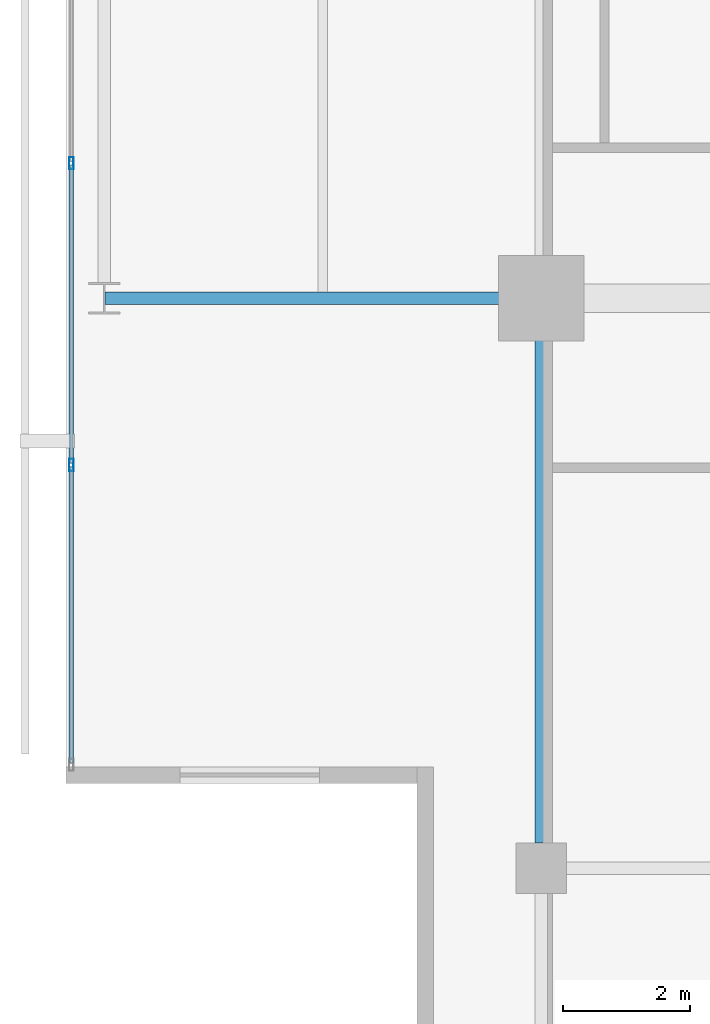
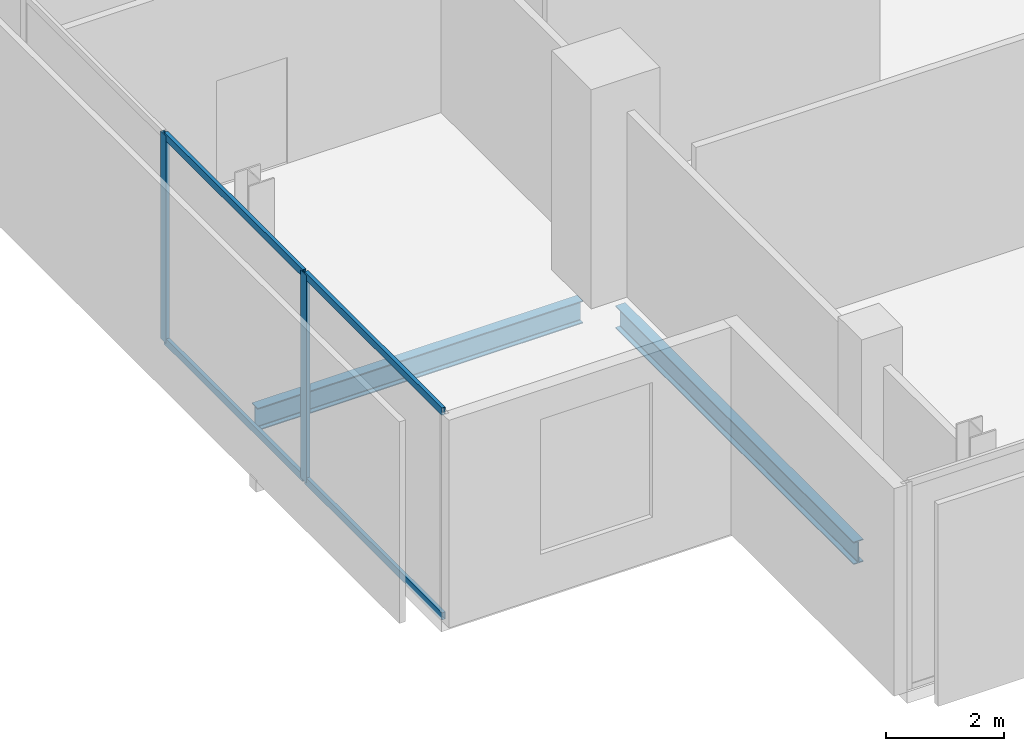
# One storey, part 3 of 23: 6 members, 2 beams, 1 element without a shape of its own.
"""IFC4 building model written with IfcOpenShell, lengths in metres."""

from ifc_helpers import new_model, si_unit, direction, frame, origin, origin_2d, place, context, subcontext, project, spatial, hollow_rectangle, i_section, extrude, material, layer, layer_set, material_profile, profile_set, type_object, element, aggregate, save


model = new_model("IFC4")

# Units and contexts
model_context = context("Model", 3, precision=1e-05, world=origin(), true_north=direction((0.0, 1.0)))
body_context = subcontext(model_context, "Body", "Model", "MODEL_VIEW")
ifc_project = project(units=[si_unit("LENGTHUNIT", "METRE"), si_unit("AREAUNIT", "SQUARE_METRE"), si_unit("VOLUMEUNIT", "CUBIC_METRE"), si_unit("PLANEANGLEUNIT", "RADIAN"), si_unit("MASSUNIT", "GRAM", prefix="KILO")], contexts=[model_context])

# Site, building, storey
site_placement = place(None, origin())
site = spatial("IfcSite", under=ifc_project, at=site_placement, CompositionType="ELEMENT")
building_placement = place(site_placement, origin())
building = spatial("IfcBuilding", under=site, at=building_placement, Name="Maruvema Waterfront Hotel and Observation Tower", CompositionType="ELEMENT")
storey_placement = place(building_placement, frame((0.0, 0.0, 345.10009765625)))
storey = spatial("IfcBuildingStorey", under=building, at=storey_placement, Name="L85", CompositionType="ELEMENT", Elevation=345.10009765625)

# Curtain wall, members
ifc_material_1 = material(Name="Anodised bronze aluminium and solar-control low-E IGU", Category="aluminium")
ifc_layer = layer(ifc_material_1, 0.159912109375, Name="Observation Crown Structural Glazed Curtain Wall System CW-06")
ifc_layer_set = layer_set([ifc_layer], Name="Anodised bronze aluminium and solar-control low-E IGU")
curtain_wall_type = type_object("IfcCurtainWallType", Name="Observation Crown Structural Glazed Curtain Wall System CW-06", PredefinedType="USERDEFINED", material=ifc_layer_set)
curtain_wall_placement = place(storey_placement, origin())
curtain_wall = element("IfcCurtainWall", 1, at=curtain_wall_placement, inside=storey, type_object=curtain_wall_type, Name="L85 Curtain Wall CW-L85-W", ObjectType="UNITISED CURTAIN WALL", PredefinedType="USERDEFINED")
ifc_material_2 = material(Name="Anodised architectural bronze aluminium", Category="aluminium")
ifc_material_profile_1 = material_profile(ifc_material_2, hollow_rectangle(XDim=0.070068359375, YDim=0.14990234375, WallThickness=0.00390625, at=origin_2d()), Name="ALU-T70x150")
ifc_profile_set_1 = profile_set([ifc_material_profile_1], Name="Anodised architectural bronze aluminium")
member_type_1 = type_object("IfcMemberType", Name="Curtain Wall Horizontal Transom ALU-T70x150", PredefinedType="USERDEFINED", material=ifc_profile_set_1)
member_1_placement = place(storey_placement, frame((17.780029296875, 29.103271484375, 0.02978515625), z_axis=(0.0, -1.0, 0.0), x_axis=(1.0, 0.0, 0.0)))
member_1 = element("IfcMember", 2, at=member_1_placement, type_object=member_type_1, Name="CW-06 transom 5.1", ObjectType="TRANSOM", PredefinedType="USERDEFINED", context=body_context, shape_type="SweptSolid", body=[
    extrude(hollow_rectangle(XDim=0.070068359375, YDim=0.14990234375, WallThickness=0.00390625, at=origin_2d()), origin(), (0.0, 0.0, 1.0), 4.70654296875),
])
member_2_placement = place(storey_placement, frame((17.780029296875, 29.103271484375, 4.27978515625), z_axis=(0.0, -1.0, 0.0), x_axis=(1.0, 0.0, 0.0)))
member_2 = element("IfcMember", 3, at=member_2_placement, type_object=member_type_1, Name="CW-06 transom 5.2", ObjectType="TRANSOM", PredefinedType="USERDEFINED", context=body_context, shape_type="SweptSolid", body=[
    extrude(hollow_rectangle(XDim=0.070068359375, YDim=0.14990234375, WallThickness=0.00390625, at=origin_2d()), origin(), (0.0, 0.0, 1.0), 4.70654296875),
])
member_3_placement = place(storey_placement, frame((17.780029296875, 24.336669921875, 0.02978515625), z_axis=(0.0, -1.0, 0.0), x_axis=(1.0, 0.0, 0.0)))
member_3 = element("IfcMember", 4, at=member_3_placement, type_object=member_type_1, Name="CW-06 transom 6.1", ObjectType="TRANSOM", PredefinedType="USERDEFINED", context=body_context, shape_type="SweptSolid", body=[
    extrude(hollow_rectangle(XDim=0.070068359375, YDim=0.14990234375, WallThickness=0.00390625, at=origin_2d()), origin(), (0.0, 0.0, 1.0), 4.6767578125),
])
member_4_placement = place(storey_placement, frame((17.780029296875, 24.336669921875, 4.27978515625), z_axis=(0.0, -1.0, 0.0), x_axis=(1.0, 0.0, 0.0)))
member_4 = element("IfcMember", 5, at=member_4_placement, type_object=member_type_1, Name="CW-06 transom 6.2", ObjectType="TRANSOM", PredefinedType="USERDEFINED", context=body_context, shape_type="SweptSolid", body=[
    extrude(hollow_rectangle(XDim=0.070068359375, YDim=0.14990234375, WallThickness=0.00390625, at=origin_2d()), origin(), (0.0, 0.0, 1.0), 4.6767578125),
])
ifc_material_3 = material(Name="Anodised architectural bronze aluminium", Category="aluminium")
ifc_material_profile_2 = material_profile(ifc_material_3, hollow_rectangle(XDim=0.070068359375, YDim=0.18994140625, WallThickness=0.00390625, at=origin_2d()), Name="ALU-M70x190")
ifc_profile_set_2 = profile_set([ifc_material_profile_2], Name="Anodised architectural bronze aluminium")
member_type_2 = type_object("IfcMemberType", Name="Podium Storefront Heavy Mullion ALU-M70x190", PredefinedType="MULLION", material=ifc_profile_set_2)
member_5_placement = place(storey_placement, frame((17.780029296875, 29.13330078125, 0.0), z_axis=(0.0, 0.0, 1.0), x_axis=(1.0, 0.0, 0.0)))
member_5 = element("IfcMember", 6, at=member_5_placement, type_object=member_type_2, Name="CW-06 mullion 5", PredefinedType="MULLION", context=body_context, shape_type="SweptSolid", body=[
    extrude(hollow_rectangle(XDim=0.070068359375, YDim=0.18994140625, WallThickness=0.00390625, at=origin_2d()), origin(), (0.0, 0.0, 1.0), 4.309814453125),
])
member_6_placement = place(storey_placement, frame((17.780029296875, 24.36669921875, 0.0), z_axis=(0.0, 0.0, 1.0), x_axis=(1.0, 0.0, 0.0)))
member_6 = element("IfcMember", 7, at=member_6_placement, type_object=member_type_2, Name="CW-06 mullion 6", PredefinedType="MULLION", context=body_context, shape_type="SweptSolid", body=[
    extrude(hollow_rectangle(XDim=0.070068359375, YDim=0.18994140625, WallThickness=0.00390625, at=origin_2d()), origin(), (0.0, 0.0, 1.0), 4.309814453125),
])
aggregate(curtain_wall, [member_5, member_6, member_1, member_2, member_3, member_4])

# Beams
ifc_material_4 = material(Name="Steel ASTM A572 Grade 50", Category="steel")
ifc_material_profile_3 = material_profile(ifc_material_4, i_section(OverallWidth=0.194091796875, OverallDepth=0.468994140625, WebThickness=0.0126953125, FlangeThickness=0.0205078125, FilletRadius=0.014892578125, at=origin_2d()), Name="W460x106.0")
ifc_profile_set_3 = profile_set([ifc_material_profile_3], Name="Steel ASTM A572 Grade 50")
beam_type = type_object("IfcBeamType", Name="Primary Floor Girder W460x106.0", PredefinedType="BEAM", material=ifc_profile_set_3)
beam_1_placement = place(storey_placement, frame((18.31103515625, 27.0, -0.474609375), z_axis=(1.0, 0.0, 0.0), x_axis=(0.0, 1.0, 0.0)))
element("IfcBeam", 8, at=beam_1_placement, inside=storey, type_object=beam_type, Name="L85 Floor Girder EW-07", PredefinedType="BEAM", context=body_context, shape_type="SweptSolid", body=[
    extrude(i_section(OverallWidth=0.194091796875, OverallDepth=0.468994140625, WebThickness=0.0126953125, FlangeThickness=0.0205078125, FilletRadius=0.014892578125, at=origin_2d()), origin(), (0.0, 0.0, 1.0), 6.388916015625),
])
beam_2_placement = place(storey_placement, frame((25.199951171875, 18.39990234375, -0.474609375), z_axis=(0.0, 1.0, 0.0), x_axis=(-1.0, 0.0, 0.0)))
element("IfcBeam", 9, at=beam_2_placement, inside=storey, type_object=beam_type, Name="L85 Floor Girder NS-04", PredefinedType="BEAM", context=body_context, shape_type="SweptSolid", body=[
    extrude(i_section(OverallWidth=0.194091796875, OverallDepth=0.468994140625, WebThickness=0.0126953125, FlangeThickness=0.0205078125, FilletRadius=0.014892578125, at=origin_2d()), origin(), (0.0, 0.0, 1.0), 8.10009765625),
])

save(model, "model.ifc")
